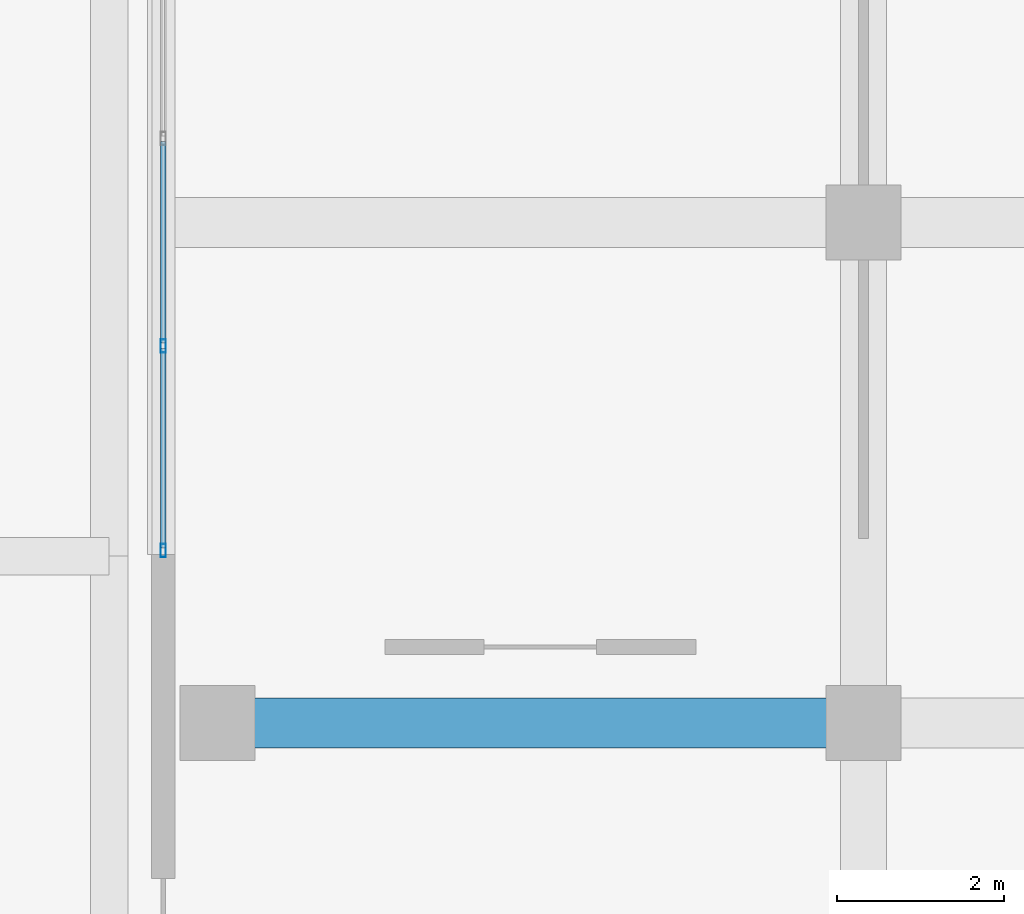
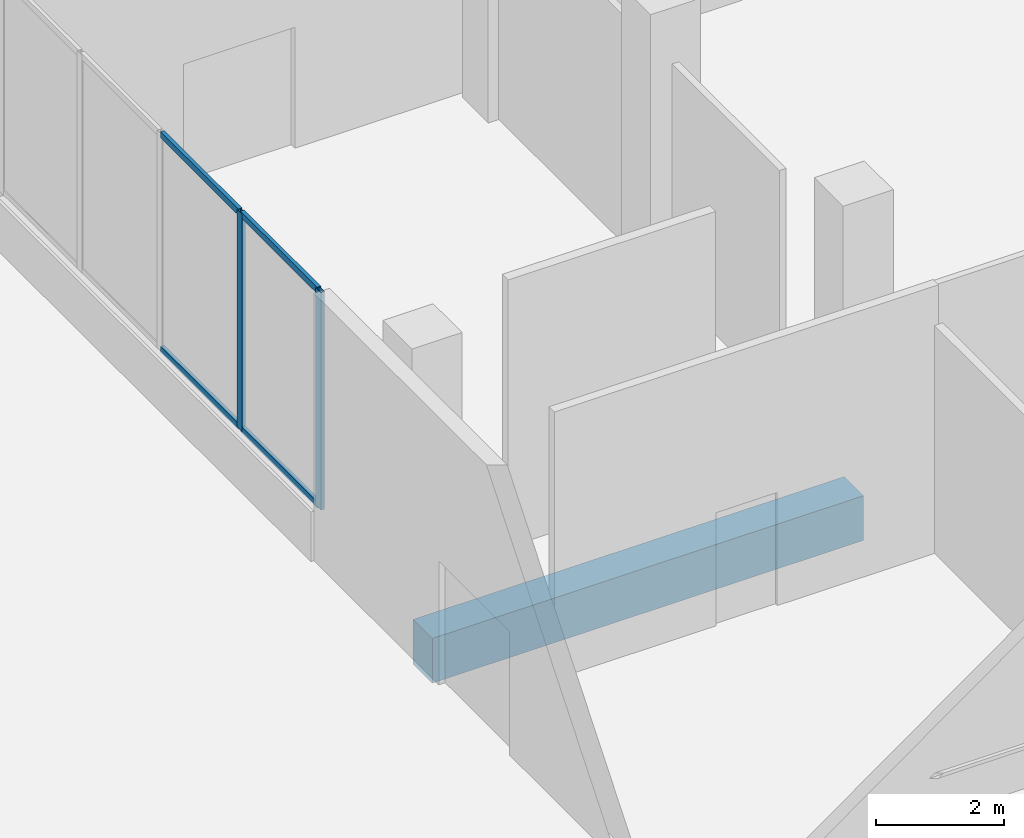
# One storey, part 71 of 158: 6 members, 1 beam, 1 element without a shape of its own.
"""IFC4 building model written with IfcOpenShell, lengths in metres."""

import ifcopenshell
import ifcopenshell.guid

model = None  # the IFC model being written
_history = None  # IfcOwnerHistory: only IFC2X3 demands one
_inside = {}  # id of a spatial element -> (the spatial element, [elements in it])
_under = {}  # id of a project, library or spatial element -> (it, [spatial elements below it])
_declared = {}  # id of a project -> (the project, [libraries it declares])
_typed = {}  # id of a type object -> (the type object, [elements of that type])
_made_of = {}  # id of a material, layer set ... -> (it, [elements and type objects made of it])


def new_model(schema):
    """Start an empty IFC model of exactly this schema.

    Asked for "IFC4X3", IfcOpenShell would pick the latest addendum, in which some entities
    have other attributes; the version numbers below select the first issue.
    IFC2X3 requires an IfcOwnerHistory on every rooted entity: one is made here for all.
    """
    global model, _history
    if schema == "IFC4X3":
        model = ifcopenshell.file(schema_version=(4, 3, 0, 0))
    else:
        model = ifcopenshell.file(schema=schema)
    _inside.clear()
    _under.clear()
    _declared.clear()
    _typed.clear()
    _made_of.clear()
    _history = None
    if model.schema == "IFC2X3":
        org = make("IfcOrganization", Name="unknown")
        user = make(
            "IfcPersonAndOrganization",
            ThePerson=make("IfcPerson", FamilyName="unknown"),
            TheOrganization=org,
        )
        app = make(
            "IfcApplication",
            ApplicationDeveloper=org,
            Version="unknown",
            ApplicationFullName="unknown",
            ApplicationIdentifier="unknown",
        )
        _history = make(
            "IfcOwnerHistory",
            OwningUser=user,
            OwningApplication=app,
            ChangeAction="ADDED",
            CreationDate=0,
        )
    return model


def make(cls, **values):
    """One entity of the class cls with the attributes given. An attribute that is None is left unset."""
    return model.create_entity(
        cls, **{name: value for name, value in values.items() if value is not None}
    )


def rooted(cls, **values):
    """An entity with a GlobalId (a new one), such as an element, a storey or a relation."""
    return make(cls, GlobalId=ifcopenshell.guid.new(), OwnerHistory=_history, **values)


def si_unit(unit_type, name, prefix=None):
    """IfcSIUnit, for example si_unit("LENGTHUNIT", "METRE", prefix="MILLI")."""
    return make("IfcSIUnit", UnitType=unit_type, Prefix=prefix, Name=name)


def assignment(units):
    """IfcUnitAssignment: the units of a project."""
    return None if units is None else make("IfcUnitAssignment", Units=units)


def point(xyz):
    """IfcCartesianPoint."""
    return None if xyz is None else make("IfcCartesianPoint", Coordinates=xyz)


def direction(xyz):
    """IfcDirection."""
    return None if xyz is None else make("IfcDirection", DirectionRatios=xyz)


def frame(location, z_axis=None, x_axis=None):
    """IfcAxis2Placement3D, a coordinate frame: its origin and axes. An axis left out is left unset."""
    return make(
        "IfcAxis2Placement3D",
        Location=point(location),
        Axis=direction(z_axis),
        RefDirection=direction(x_axis),
    )


def frame_2d(location, x_axis=None):
    """IfcAxis2Placement2D, a coordinate frame in the plane: its origin and x axis."""
    return make(
        "IfcAxis2Placement2D", Location=point(location), RefDirection=direction(x_axis)
    )


def origin():
    """The frame at (0, 0, 0) with its axes left unset."""
    return frame((0.0, 0.0, 0.0))


def origin_2d():
    """The frame at (0, 0) in the plane with its x axis left unset."""
    return frame_2d((0.0, 0.0))


def place(relative_to, where):
    """IfcLocalPlacement: puts the frame where relative to a parent placement (None: the world)."""
    return make(
        "IfcLocalPlacement", PlacementRelTo=relative_to, RelativePlacement=where
    )


def context(
    kind, dimensions, precision=None, world=None, true_north=None, identifier=None
):
    """IfcGeometricRepresentationContext, for example the 3D "Model" context."""
    return make(
        "IfcGeometricRepresentationContext",
        ContextIdentifier=identifier,
        ContextType=kind,
        CoordinateSpaceDimension=dimensions,
        Precision=precision,
        WorldCoordinateSystem=world,
        TrueNorth=true_north,
    )


def subcontext(parent, identifier, kind, view, scale=None):
    """IfcGeometricRepresentationSubContext, for example "Body" below "Model"."""
    return make(
        "IfcGeometricRepresentationSubContext",
        ContextIdentifier=identifier,
        ContextType=kind,
        ParentContext=parent,
        TargetScale=scale,
        TargetView=view,
    )


def project(units=None, contexts=None):
    """IfcProject with its units and contexts."""
    return rooted(
        "IfcProject",
        Name="project",
        RepresentationContexts=contexts,
        UnitsInContext=assignment(units),
    )


def spatial(cls, under=None, at=None, **own):
    """A site, building, storey or space (cls), placed at a placement, below another one or the project."""
    s = rooted(cls, ObjectPlacement=at, **own)
    if under is not None:
        _under.setdefault(under.id(), (under, []))[1].append(s)
    return s


def profile(cls, at=None, kind="AREA", **sizes):
    """A parametric profile (cls). Its sizes go by their IFC names, for example OverallWidth=200.0."""
    return make(cls, ProfileType=kind, Position=at, **sizes)


def rectangle(**sizes):
    """IfcRectangleProfileDef."""
    return profile("IfcRectangleProfileDef", **sizes)


def hollow_rectangle(**sizes):
    """IfcRectangleHollowProfileDef."""
    return profile("IfcRectangleHollowProfileDef", **sizes)


def extrude(swept, where, along, depth):
    """IfcExtrudedAreaSolid: the profile swept, set in the frame where, extruded along a direction by depth."""
    return make(
        "IfcExtrudedAreaSolid",
        SweptArea=swept,
        Position=where,
        ExtrudedDirection=direction(along),
        Depth=depth,
    )


def shape(context_of_items, identifier, shape_type, items):
    """IfcShapeRepresentation: the items that make up one representation, for example the "Body"."""
    return make(
        "IfcShapeRepresentation",
        ContextOfItems=context_of_items,
        RepresentationIdentifier=identifier,
        RepresentationType=shape_type,
        Items=items,
    )


def material(Name=None, Category=None):
    """IfcMaterial."""
    return make("IfcMaterial", Name=Name, Category=Category)


def material_profile(
    of_material, cross_section, Name=None, Category=None, Priority=None
):
    """IfcMaterialProfile: a cross section and its material."""
    return make(
        "IfcMaterialProfile",
        Name=Name,
        Material=of_material,
        Profile=cross_section,
        Priority=Priority,
        Category=Category,
    )


def profile_set(profiles, Name=None, composite=None):
    """IfcMaterialProfileSet."""
    return make(
        "IfcMaterialProfileSet",
        Name=Name,
        MaterialProfiles=profiles,
        CompositeProfile=composite,
    )


def made_of(thing, what):
    """Note that an element or type object is made of a material, layer set ...; save() writes the relation."""
    if what is not None:
        _made_of.setdefault(what.id(), (what, []))[1].append(thing)
    return thing


def type_object(cls, material=None, **own):
    """A type object (cls), such as IfcWallType, which elements share."""
    return made_of(rooted(cls, **own), material)


def element(
    cls,
    number,
    at=None,
    inside=None,
    cuts=None,
    type_object=None,
    material=None,
    context=None,
    identifier="Body",
    shape_type=None,
    held_by="IfcProductDefinitionShape",
    body=None,
    shapes=None,
    **own,
):
    """One element of the class cls, such as IfcWall. Its Tag is "e" and its number.

    at: its placement. inside: the storey or other place that contains it. cuts: it is an
    opening in that element (IfcRelVoidsElement). A single representation is given by context,
    identifier, shape_type and body (its items); several are given by shapes. held_by: the class
    of the entity that holds the representations. save() writes the other relations.
    """
    e = rooted(cls, Tag="e%d" % number, ObjectPlacement=at, **own)
    if body is not None:
        shapes = [shape(context, identifier, shape_type, body)]
    if shapes is not None:
        e.Representation = make(held_by, Representations=shapes)
    if inside is not None:
        _inside.setdefault(inside.id(), (inside, []))[1].append(e)
    if cuts is not None:
        rooted(
            "IfcRelVoidsElement", RelatingBuildingElement=cuts, RelatedOpeningElement=e
        )
    if type_object is not None:
        _typed.setdefault(type_object.id(), (type_object, []))[1].append(e)
    return made_of(e, material)


def aggregate(whole, parts):
    """IfcRelAggregates: a whole, such as a stair, and the parts it consists of."""
    return rooted("IfcRelAggregates", RelatingObject=whole, RelatedObjects=parts)


def save(model, path):
    """Write the relations noted so far, then the file.

    IfcRelAggregates (storeys below a building ...), IfcRelContainedInSpatialStructure (elements
    in a storey), IfcRelDefinesByType, IfcRelAssociatesMaterial and IfcRelDeclares: one each for
    every whole, place, type object, material and project.
    """
    for whole, parts in _under.values():
        aggregate(whole, parts)
    for where, things in _inside.values():
        rooted(
            "IfcRelContainedInSpatialStructure",
            RelatedElements=things,
            RelatingStructure=where,
        )
    for kind, things in _typed.values():
        rooted("IfcRelDefinesByType", RelatedObjects=things, RelatingType=kind)
    for what, things in _made_of.values():
        rooted("IfcRelAssociatesMaterial", RelatedObjects=things, RelatingMaterial=what)
    for by, libraries in _declared.values():
        rooted("IfcRelDeclares", RelatingContext=by, RelatedDefinitions=libraries)
    model.write(path)


model = new_model("IFC4")

# Units and contexts
model_context = context("Model", 3, precision=1e-05, world=origin(), true_north=direction((0.0, 1.0)))
body_context = subcontext(model_context, "Body", "Model", "MODEL_VIEW")
ifc_project = project(units=[si_unit("LENGTHUNIT", "METRE"), si_unit("AREAUNIT", "SQUARE_METRE"), si_unit("VOLUMEUNIT", "CUBIC_METRE"), si_unit("PLANEANGLEUNIT", "RADIAN"), si_unit("MASSUNIT", "GRAM", prefix="KILO")], contexts=[model_context])

# Site, building, storey
site_placement = place(None, origin())
site = spatial("IfcSite", under=ifc_project, at=site_placement, CompositionType="ELEMENT")
building_placement = place(site_placement, origin())
building = spatial("IfcBuilding", under=site, at=building_placement, Name="Selatvlak General Hospital", CompositionType="ELEMENT")
storey_placement = place(building_placement, origin())
storey = spatial("IfcBuildingStorey", under=building, at=storey_placement, Name="L00", CompositionType="ELEMENT", Elevation=0.0)

# Beam
ifc_material_1 = material(Name="Concrete C40/50", Category="concrete")
ifc_material_profile_1 = material_profile(ifc_material_1, rectangle(XDim=0.60009765625, YDim=0.85009765625, at=origin_2d()), Name="RC-BM 600x850")
ifc_profile_set_1 = profile_set([ifc_material_profile_1], Name="Concrete C40/50")
beam_type = type_object("IfcBeamType", Name="BM-G01", PredefinedType="BEAM", material=ifc_profile_set_1)
beam_placement = place(storey_placement, frame((15.050048828125, 108.0, -0.77490234375), z_axis=(1.0, 0.0, 0.0), x_axis=(0.0, 1.0, 0.0)))
element("IfcBeam", 1, at=beam_placement, inside=storey, type_object=beam_type, Name="Beam BMR-L00-0118", PredefinedType="BEAM", context=body_context, shape_type="SweptSolid", body=[
    extrude(rectangle(XDim=0.60009765625, YDim=0.85009765625, at=origin_2d()), origin(), (0.0, 0.0, 1.0), 7.75),
])

# Curtain wall, members
ifc_material_2 = material(Name="Solar-control Low-E double glazing", Category="glass")
curtain_wall_type = type_object("IfcCurtainWallType", Name="CW-CW-01", PredefinedType="USERDEFINED", material=ifc_material_2)
curtain_wall_placement = place(storey_placement, origin())
curtain_wall = element("IfcCurtainWall", 2, at=curtain_wall_placement, inside=storey, type_object=curtain_wall_type, Name="Glazed facade curtain wall CW-L00-0002", ObjectType="UNITISED CURTAIN WALL", PredefinedType="USERDEFINED")
ifc_material_3 = material(Name="Dark anodised aluminium mullion", Category="aluminium")
ifc_material_profile_2 = material_profile(ifc_material_3, hollow_rectangle(XDim=0.06494140625, YDim=0.159912109375, WallThickness=0.00390625, at=origin_2d()), Name="AL-MUL 65x160x4")
ifc_profile_set_2 = profile_set([ifc_material_profile_2], Name="Dark anodised aluminium mullion")
member_type_1 = type_object("IfcMemberType", Name="CWM-01", PredefinedType="MULLION", material=ifc_profile_set_2)
member_1_placement = place(storey_placement, frame((14.39990234375, 110.06640625, 0.93994140625), z_axis=(0.0, 0.0, 1.0), x_axis=(-1.0, 0.0, 0.0)))
member_1 = element("IfcMember", 3, at=member_1_placement, type_object=member_type_1, Name="CW-01 mullion 1", PredefinedType="MULLION", context=body_context, shape_type="SweptSolid", body=[
    extrude(hollow_rectangle(XDim=0.06494140625, YDim=0.159912109375, WallThickness=0.00390625, at=origin_2d()), origin(), (0.0, 0.0, 1.0), 4.14013671875),
])
member_2_placement = place(storey_placement, frame((14.39990234375, 112.521484375, 0.93994140625), z_axis=(0.0, 0.0, 1.0), x_axis=(-1.0, 0.0, 0.0)))
member_2 = element("IfcMember", 4, at=member_2_placement, type_object=member_type_1, Name="CW-01 mullion 2", PredefinedType="MULLION", context=body_context, shape_type="SweptSolid", body=[
    extrude(hollow_rectangle(XDim=0.06494140625, YDim=0.159912109375, WallThickness=0.00390625, at=origin_2d()), origin(), (0.0, 0.0, 1.0), 4.14013671875),
])
ifc_material_profile_3 = material_profile(ifc_material_3, hollow_rectangle(XDim=0.06494140625, YDim=0.1201171875, WallThickness=0.00390625, at=origin_2d()), Name="AL-TRN 65x120x4")
ifc_profile_set_3 = profile_set([ifc_material_profile_3], Name="Dark anodised aluminium mullion")
member_type_2 = type_object("IfcMemberType", Name="CWT-01", PredefinedType="USERDEFINED", material=ifc_profile_set_3)
member_3_placement = place(storey_placement, frame((14.39990234375, 110.09912109375, 0.972412109375), z_axis=(0.0, 1.0, 0.0), x_axis=(-1.0, 0.0, 0.0)))
member_3 = element("IfcMember", 5, at=member_3_placement, type_object=member_type_2, Name="CW-01 transom 1.1", ObjectType="TRANSOM", PredefinedType="USERDEFINED", context=body_context, shape_type="SweptSolid", body=[
    extrude(hollow_rectangle(XDim=0.06494140625, YDim=0.1201171875, WallThickness=0.00390625, at=origin_2d()), origin(), (0.0, 0.0, 1.0), 2.389892578125),
])
member_4_placement = place(storey_placement, frame((14.39990234375, 110.09912109375, 5.047607421875), z_axis=(0.0, 1.0, 0.0), x_axis=(-1.0, 0.0, 0.0)))
member_4 = element("IfcMember", 6, at=member_4_placement, type_object=member_type_2, Name="CW-01 transom 1.2", ObjectType="TRANSOM", PredefinedType="USERDEFINED", context=body_context, shape_type="SweptSolid", body=[
    extrude(hollow_rectangle(XDim=0.06494140625, YDim=0.1201171875, WallThickness=0.00390625, at=origin_2d()), origin(), (0.0, 0.0, 1.0), 2.389892578125),
])
member_5_placement = place(storey_placement, frame((14.39990234375, 112.553955078125, 0.972412109375), z_axis=(0.0, 1.0, 0.0), x_axis=(-1.0, 0.0, 0.0)))
member_5 = element("IfcMember", 7, at=member_5_placement, type_object=member_type_2, Name="CW-01 transom 2.1", ObjectType="TRANSOM", PredefinedType="USERDEFINED", context=body_context, shape_type="SweptSolid", body=[
    extrude(hollow_rectangle(XDim=0.06494140625, YDim=0.1201171875, WallThickness=0.00390625, at=origin_2d()), origin(), (0.0, 0.0, 1.0), 2.422607421875),
])
member_6_placement = place(storey_placement, frame((14.39990234375, 112.553955078125, 5.047607421875), z_axis=(0.0, 1.0, 0.0), x_axis=(-1.0, 0.0, 0.0)))
member_6 = element("IfcMember", 8, at=member_6_placement, type_object=member_type_2, Name="CW-01 transom 2.2", ObjectType="TRANSOM", PredefinedType="USERDEFINED", context=body_context, shape_type="SweptSolid", body=[
    extrude(hollow_rectangle(XDim=0.06494140625, YDim=0.1201171875, WallThickness=0.00390625, at=origin_2d()), origin(), (0.0, 0.0, 1.0), 2.422607421875),
])
aggregate(curtain_wall, [member_1, member_2, member_3, member_4, member_5, member_6])

save(model, "model.ifc")
